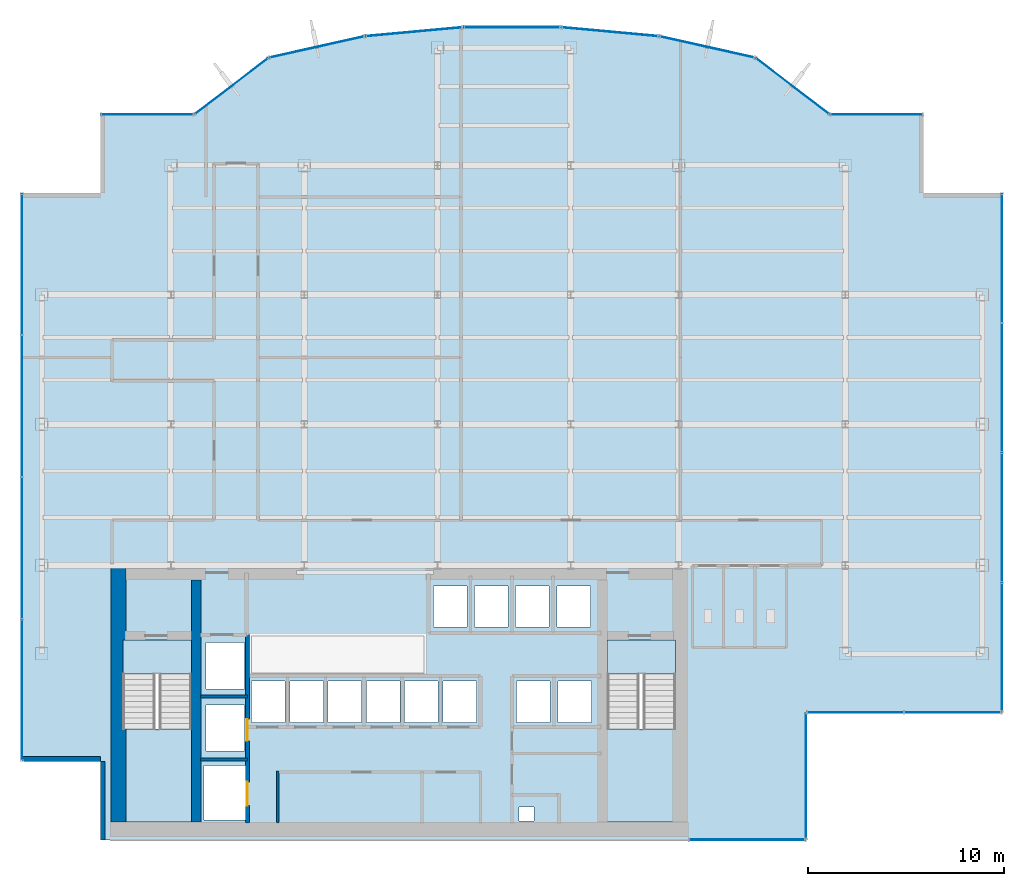
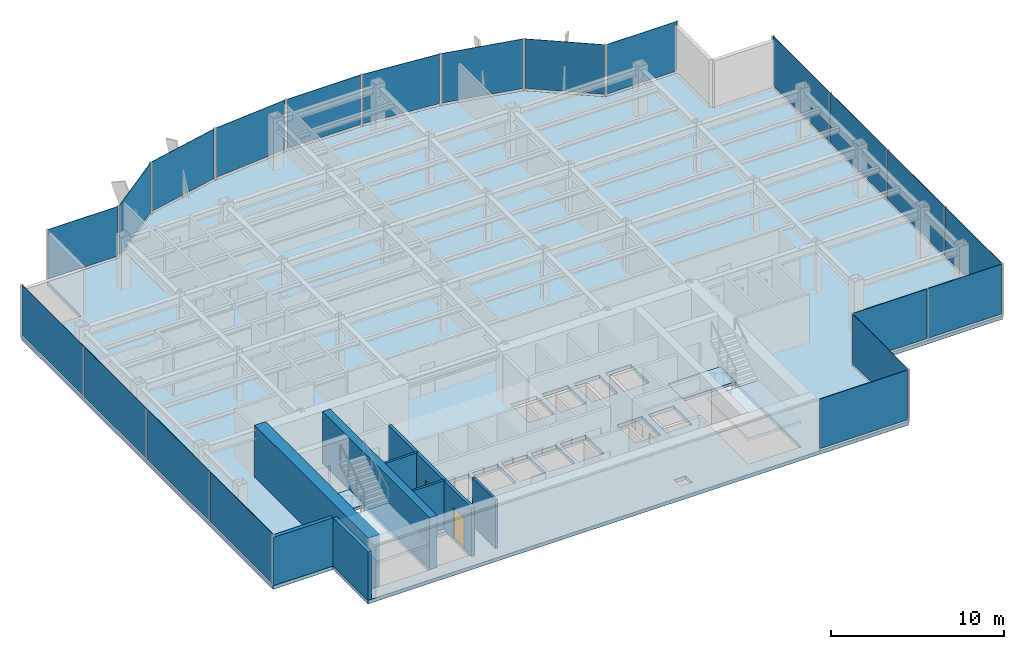
# One storey, part 19 of 25: 21 plates, 8 walls, 5 slabs, 2 doors, 2 openings, 16 elements without a shape of their own.
"""IFC4 building model written with IfcOpenShell, lengths in metres."""

from ifc_helpers import new_model, si_unit, derived_unit, direction, frame, frame_2d, origin, origin_2d, place, context, subcontext, project, spatial, polyline, rectangle, outline, extrude, source, transform, mapped, material, layer, layer_set, type_object, element, fill, aggregate, save


model = new_model("IFC4")

# Units and contexts
model_context = context("Model", 3, precision=1e-05, world=origin(), true_north=direction((0.0, 1.0)))
body_context = subcontext(model_context, "Body", "Model", "MODEL_VIEW")
ifc_project = project(units=[si_unit("LENGTHUNIT", "METRE"), si_unit("AREAUNIT", "SQUARE_METRE"), si_unit("VOLUMEUNIT", "CUBIC_METRE"), si_unit("PLANEANGLEUNIT", "RADIAN"), si_unit("MASSUNIT", "GRAM", prefix="KILO"), derived_unit("THERMALTRANSMITTANCEUNIT", [(si_unit("POWERUNIT", "WATT"), 1), (si_unit("LENGTHUNIT", "METRE"), -2), (si_unit("THERMODYNAMICTEMPERATUREUNIT", "KELVIN"), -1)])], contexts=[model_context])

# Site, building, storey
site_placement = place(None, origin())
site = spatial("IfcSite", under=ifc_project, at=site_placement, CompositionType="ELEMENT")
building_placement = place(site_placement, origin())
building = spatial("IfcBuilding", under=site, at=building_placement, Name="Skarnbrae Concourse Arena and Tower", CompositionType="ELEMENT")
storey_placement = place(building_placement, frame((0.0, 0.0, 169.800048828125)))
storey = spatial("IfcBuildingStorey", under=building, at=storey_placement, Name="L43", CompositionType="ELEMENT", Elevation=169.800048828125)

# Stair, slab
ifc_material_1 = material(Name="Concrete 40 MPa (C40/50)", Category="concrete")
stair_type = type_object("IfcStairType", Name="STAIR-DOGLEG-1650", PredefinedType="HALF_TURN_STAIR", material=ifc_material_1)
stair_1_placement = place(storey_placement, origin())
stair_1 = element("IfcStair", 1, at=stair_1_placement, inside=storey, type_object=stair_type, Name="L43 Protected Exit Stair ST-1", PredefinedType="HALF_TURN_STAIR")
ifc_layer_1 = layer(ifc_material_1, 0.199951171875)
ifc_layer_set_1 = layer_set([ifc_layer_1], Name="Concrete 40 MPa (C40/50)")
slab_type_1 = type_object("IfcSlabType", Name="SLAB-LANDING-200", PredefinedType="LANDING", material=ifc_layer_set_1)
slab_1_placement = place(storey_placement, frame((0.0, 0.0, 1.625)))
slab_1 = element("IfcSlab", 2, at=slab_1_placement, type_object=slab_type_1, Name="ST-1 landing 1", PredefinedType="LANDING", context=body_context, shape_type="SweptSolid", body=[
    extrude(outline(polyline([(5.14990234375, 5.64990234375), (5.14990234375, 0.89990234375), (8.64990234375, 0.89990234375), (8.64990234375, 5.64990234375), (5.14990234375, 5.64990234375)])), origin(), (0.0, 0.0, 1.0), 0.199951171875),
])
aggregate(stair_1, [slab_1])

stair_2_placement = place(storey_placement, origin())
stair_2 = element("IfcStair", 3, at=stair_2_placement, inside=storey, type_object=stair_type, Name="L43 Protected Exit Stair ST-2", PredefinedType="HALF_TURN_STAIR")
slab_2_placement = place(storey_placement, frame((0.0, 0.0, 1.625)))
slab_2 = element("IfcSlab", 4, at=slab_2_placement, type_object=slab_type_1, Name="ST-2 landing 1", PredefinedType="LANDING", context=body_context, shape_type="SweptSolid", body=[
    extrude(outline(polyline([(29.85009765625, 5.64990234375), (29.85009765625, 0.89990234375), (33.35009765625, 0.89990234375), (33.35009765625, 5.64990234375), (29.85009765625, 5.64990234375)])), origin(), (0.0, 0.0, 1.0), 0.199951171875),
])
aggregate(stair_2, [slab_2])

# Slabs
slab_3_placement = place(storey_placement, frame((0.0, 0.0, -0.199951171875)))
element("IfcSlab", 5, at=slab_3_placement, inside=storey, type_object=slab_type_1, Name="L43 Core stair ST1 floor landing", PredefinedType="LANDING", context=body_context, shape_type="SweptSolid", body=[
    extrude(outline(polyline([(5.14990234375, 10.199951171875), (5.14990234375, 8.449951171875), (8.64990234375, 8.449951171875), (8.64990234375, 10.199951171875), (5.14990234375, 10.199951171875)])), origin(), (0.0, 0.0, 1.0), 0.199951171875),
])
slab_4_placement = place(storey_placement, frame((0.0, 0.0, -0.199951171875)))
element("IfcSlab", 6, at=slab_4_placement, inside=storey, type_object=slab_type_1, Name="L43 Core stair ST2 floor landing", PredefinedType="LANDING", context=body_context, shape_type="SweptSolid", body=[
    extrude(outline(polyline([(29.85009765625, 10.199951171875), (29.85009765625, 8.449951171875), (33.35009765625, 8.449951171875), (33.35009765625, 10.199951171875), (29.85009765625, 10.199951171875)])), origin(), (0.0, 0.0, 1.0), 0.199951171875),
])
ifc_layer_2 = layer(ifc_material_1, 0.25)
ifc_layer_set_2 = layer_set([ifc_layer_2], Name="Concrete 40 MPa (C40/50)")
slab_type_2 = type_object("IfcSlabType", Name="SLAB-TOWER-250", PredefinedType="FLOOR", material=ifc_layer_set_2)
slab_5_placement = place(storey_placement, frame((0.0, 0.0, -0.25)))
element("IfcSlab", 7, at=slab_5_placement, inside=storey, type_object=slab_type_2, Name="L43 Structural floor slab", PredefinedType="FLOOR", context=body_context, shape_type="SweptSolid", body=[
    extrude(outline(polyline([(4.0, 0.0), (40.0, 0.0), (40.0, 6.5), (50.0, 6.5), (50.0, 33.0), (46.0, 33.0), (46.0, 37.0), (41.199951171875, 37.0), (37.409423828125, 39.892578125), (32.51220703125, 40.98681640625), (27.51123046875, 41.445556640625), (22.48876953125, 41.445556640625), (17.48779296875, 40.98681640625), (12.590576171875, 39.892578125), (8.800048828125, 37.0), (4.0, 37.0), (4.0, 33.0), (0.0, 33.0), (0.0, 4.0), (4.0, 4.0), (4.0, 0.0)]), holes=[polyline([(9.294921875, 3.780029296875), (11.455078125, 3.780029296875), (11.455078125, 1.02001953125), (9.294921875, 1.02001953125), (9.294921875, 3.780029296875)]), polyline([(8.64990234375, 10.199951171875), (8.64990234375, 0.89990234375), (5.14990234375, 0.89990234375), (5.14990234375, 10.199951171875), (8.64990234375, 10.199951171875)]), polyline([(9.39501953125, 6.8798828125), (11.35498046875, 6.8798828125), (11.35498046875, 4.52001953125), (9.39501953125, 4.52001953125), (9.39501953125, 6.8798828125)]), polyline([(11.719970703125, 8.10498046875), (13.429931640625, 8.10498046875), (13.429931640625, 5.9951171875), (11.719970703125, 5.9951171875), (11.719970703125, 8.10498046875)]), polyline([(13.669921875, 8.10498046875), (15.3798828125, 8.10498046875), (15.3798828125, 5.9951171875), (13.669921875, 5.9951171875), (13.669921875, 8.10498046875)]), polyline([(15.6201171875, 8.10498046875), (17.330078125, 8.10498046875), (17.330078125, 5.9951171875), (15.6201171875, 5.9951171875), (15.6201171875, 8.10498046875)]), polyline([(17.570068359375, 8.10498046875), (19.280029296875, 8.10498046875), (19.280029296875, 5.9951171875), (17.570068359375, 5.9951171875), (17.570068359375, 8.10498046875)]), polyline([(21.22998046875, 8.10498046875), (21.22998046875, 5.9951171875), (19.52001953125, 5.9951171875), (19.52001953125, 8.10498046875), (21.22998046875, 8.10498046875)]), polyline([(11.35498046875, 10.054931640625), (11.35498046875, 7.695068359375), (9.39501953125, 7.695068359375), (9.39501953125, 10.054931640625), (11.35498046875, 10.054931640625)]), polyline([(25.35009765625, 1.669921875), (26.1201171875, 1.669921875), (26.1201171875, 0.949951171875), (25.35009765625, 0.949951171875), (25.35009765625, 1.669921875)]), polyline([(33.35009765625, 10.199951171875), (33.35009765625, 0.89990234375), (29.85009765625, 0.89990234375), (29.85009765625, 10.199951171875), (33.35009765625, 10.199951171875)]), polyline([(21.469970703125, 8.10498046875), (23.179931640625, 8.10498046875), (23.179931640625, 5.9951171875), (21.469970703125, 5.9951171875), (21.469970703125, 8.10498046875)]), polyline([(25.235107421875, 8.10498046875), (26.945068359375, 8.10498046875), (26.945068359375, 5.9951171875), (25.235107421875, 5.9951171875), (25.235107421875, 8.10498046875)]), polyline([(27.3349609375, 8.10498046875), (29.044921875, 8.10498046875), (29.044921875, 5.9951171875), (27.3349609375, 5.9951171875), (27.3349609375, 8.10498046875)]), polyline([(20.985107421875, 12.955078125), (22.695068359375, 12.955078125), (22.695068359375, 10.844970703125), (20.985107421875, 10.844970703125), (20.985107421875, 12.955078125)]), polyline([(23.0849609375, 12.955078125), (24.794921875, 12.955078125), (24.794921875, 10.844970703125), (23.0849609375, 10.844970703125), (23.0849609375, 12.955078125)]), polyline([(26.89501953125, 12.955078125), (26.89501953125, 10.844970703125), (25.18505859375, 10.844970703125), (25.18505859375, 12.955078125), (26.89501953125, 12.955078125)]), polyline([(28.9951171875, 12.955078125), (28.9951171875, 10.844970703125), (27.284912109375, 10.844970703125), (27.284912109375, 12.955078125), (28.9951171875, 12.955078125)])]), origin(), (0.0, 0.0, 1.0), 0.25),
])

# Curtain wall, plates
ifc_material_2 = material(Name="Bronze anodised aluminium 6063-T6", Category="aluminium")
curtain_wall_type_1 = type_object("IfcCurtainWallType", Name="CW-SYS-04-MIDZONE", PredefinedType="USERDEFINED", material=ifc_material_2)
curtain_wall_1_placement = place(storey_placement, origin())
curtain_wall_1 = element("IfcCurtainWall", 8, at=curtain_wall_1_placement, inside=storey, type_object=curtain_wall_type_1, Name="L43 Unitised curtain wall CW-L43-E03", ObjectType="UNITISED CURTAIN WALL", PredefinedType="USERDEFINED")
ifc_material_3 = material(Name="Low-E triple insulating glass", Category="glass")
ifc_layer_3 = layer(ifc_material_3, 0.031982421875)
ifc_layer_set_3 = layer_set([ifc_layer_3], Name="Low-E triple insulating glass")
plate_type_1 = type_object("IfcPlateType", Name="CWP-CW-04", PredefinedType="CURTAIN_PANEL", material=ifc_layer_set_3)
shared_shape_1 = source(origin(), body_context, "Body", "SweptSolid", [
    extrude(rectangle(XDim=4.887451171875, YDim=0.031982421875, at=origin_2d()), origin(), (0.0, 0.0, 1.0), 3.489990234375),
])
plate_1_placement = place(storey_placement, frame((42.518798828125, 6.5, 0.16015625), z_axis=(0.0, 0.0, 1.0), x_axis=(1.0, 0.0, 0.0)))
plate_1 = element("IfcPlate", 9, at=plate_1_placement, type_object=plate_type_1, Name="CW-L43-E03 Low-E Glazing Panel 1", PredefinedType="CURTAIN_PANEL", context=body_context, shape_type="MappedRepresentation", body=[
    mapped(shared_shape_1, transform((0.0, 0.0, 0.0))),
])
plate_2_placement = place(storey_placement, frame((47.481201171875, 6.5, 0.16015625), z_axis=(0.0, 0.0, 1.0), x_axis=(1.0, 0.0, 0.0)))
plate_2 = element("IfcPlate", 10, at=plate_2_placement, type_object=plate_type_1, Name="CW-L43-E03 Low-E Glazing Panel 2", PredefinedType="CURTAIN_PANEL", context=body_context, shape_type="MappedRepresentation", body=[
    mapped(shared_shape_1, transform((0.0, 0.0, 0.0))),
])
aggregate(curtain_wall_1, [plate_1, plate_2])

# Curtain wall, plate
curtain_wall_2_placement = place(storey_placement, origin())
curtain_wall_2 = element("IfcCurtainWall", 11, at=curtain_wall_2_placement, inside=storey, type_object=curtain_wall_type_1, Name="L43 Unitised curtain wall CW-L43-SE-SPINE", ObjectType="UNITISED CURTAIN WALL", PredefinedType="USERDEFINED")
shared_shape_2 = source(origin(), body_context, "Body", "SweptSolid", [
    extrude(rectangle(XDim=5.85009765625, YDim=0.031982421875, at=origin_2d()), origin(), (0.0, 0.0, 1.0), 3.489990234375),
])
plate_3_placement = place(storey_placement, frame((37.0, 0.0, 0.16015625), z_axis=(0.0, 0.0, 1.0), x_axis=(1.0, 0.0, 0.0)))
plate_3 = element("IfcPlate", 12, at=plate_3_placement, type_object=plate_type_1, Name="CW-L43-SE-SPINE Low-E Glazing Panel 1", PredefinedType="CURTAIN_PANEL", context=body_context, shape_type="MappedRepresentation", body=[
    mapped(shared_shape_2, transform((0.0, 0.0, 0.0))),
])
aggregate(curtain_wall_2, [plate_3])

curtain_wall_3_placement = place(storey_placement, origin())
curtain_wall_3 = element("IfcCurtainWall", 13, at=curtain_wall_3_placement, inside=storey, type_object=curtain_wall_type_1, Name="L43 Unitised curtain wall CW-L43-E02", ObjectType="UNITISED CURTAIN WALL", PredefinedType="USERDEFINED")
shared_shape_3 = source(origin(), body_context, "Body", "SweptSolid", [
    extrude(rectangle(XDim=6.35009765625, YDim=0.031982421875, at=origin_2d()), origin(), (0.0, 0.0, 1.0), 3.489990234375),
])
plate_4_placement = place(storey_placement, frame((40.0, 3.25, 0.16015625), z_axis=(0.0, 0.0, 1.0), x_axis=(0.0, 1.0, 0.0)))
plate_4 = element("IfcPlate", 14, at=plate_4_placement, type_object=plate_type_1, Name="CW-L43-E02 Low-E Glazing Panel 1", PredefinedType="CURTAIN_PANEL", context=body_context, shape_type="MappedRepresentation", body=[
    mapped(shared_shape_3, transform((0.0, 0.0, 0.0))),
])
aggregate(curtain_wall_3, [plate_4])

curtain_wall_4_placement = place(storey_placement, origin())
curtain_wall_4 = element("IfcCurtainWall", 15, at=curtain_wall_4_placement, inside=storey, type_object=curtain_wall_type_1, Name="L43 Unitised curtain wall CW-L43-E07", ObjectType="UNITISED CURTAIN WALL", PredefinedType="USERDEFINED")
shared_shape_4 = source(origin(), body_context, "Body", "SweptSolid", [
    extrude(rectangle(XDim=4.64990234375, YDim=0.031982421875, at=origin_2d()), origin(), (0.0, 0.0, 1.0), 3.489990234375),
])
plate_5_placement = place(storey_placement, frame((43.60009765625, 37.0, 0.16015625), z_axis=(0.0, 0.0, 1.0), x_axis=(-1.0, 0.0, 0.0)))
plate_5 = element("IfcPlate", 16, at=plate_5_placement, type_object=plate_type_1, Name="CW-L43-E07 Low-E Glazing Panel 1", PredefinedType="CURTAIN_PANEL", context=body_context, shape_type="MappedRepresentation", body=[
    mapped(shared_shape_4, transform((0.0, 0.0, 0.0))),
])
aggregate(curtain_wall_4, [plate_5])

curtain_wall_5_placement = place(storey_placement, origin())
curtain_wall_5 = element("IfcCurtainWall", 17, at=curtain_wall_5_placement, inside=storey, type_object=curtain_wall_type_1, Name="L43 Unitised curtain wall CW-L43-E15", ObjectType="UNITISED CURTAIN WALL", PredefinedType="USERDEFINED")
plate_6_placement = place(storey_placement, frame((6.39990234375, 37.0, 0.16015625), z_axis=(0.0, 0.0, 1.0), x_axis=(-1.0, 0.0, 0.0)))
plate_6 = element("IfcPlate", 18, at=plate_6_placement, type_object=plate_type_1, Name="CW-L43-E15 Low-E Glazing Panel 1", PredefinedType="CURTAIN_PANEL", context=body_context, shape_type="MappedRepresentation", body=[
    mapped(shared_shape_4, transform((0.0, 0.0, 0.0))),
])
aggregate(curtain_wall_5, [plate_6])

curtain_wall_6_placement = place(storey_placement, origin())
curtain_wall_6 = element("IfcCurtainWall", 19, at=curtain_wall_6_placement, inside=storey, type_object=curtain_wall_type_1, Name="L43 Unitised curtain wall CW-L43-E08", ObjectType="UNITISED CURTAIN WALL", PredefinedType="USERDEFINED")
shared_shape_5 = source(origin(), body_context, "Body", "SweptSolid", [
    extrude(rectangle(XDim=4.6181640625, YDim=0.031982421875, at=origin_2d()), origin(), (0.0, 0.0, 1.0), 3.489990234375),
])
plate_7_placement = place(storey_placement, frame((39.3046875, 38.4462890625, 0.16015625), z_axis=(0.0, 0.0, 1.0), x_axis=(-0.794956000706, 0.606667089054, 0.0)))
plate_7 = element("IfcPlate", 20, at=plate_7_placement, type_object=plate_type_1, Name="CW-L43-E08 Low-E Glazing Panel 1", PredefinedType="CURTAIN_PANEL", context=body_context, shape_type="MappedRepresentation", body=[
    mapped(shared_shape_5, transform((0.0, 0.0, 0.0))),
])
aggregate(curtain_wall_6, [plate_7])

curtain_wall_7_placement = place(storey_placement, origin())
curtain_wall_7 = element("IfcCurtainWall", 21, at=curtain_wall_7_placement, inside=storey, type_object=curtain_wall_type_1, Name="L43 Unitised curtain wall CW-L43-E14", ObjectType="UNITISED CURTAIN WALL", PredefinedType="USERDEFINED")
plate_8_placement = place(storey_placement, frame((10.6953125, 38.4462890625, 0.16015625), z_axis=(0.0, 0.0, 1.0), x_axis=(-0.794956000706, -0.606667089054, 0.0)))
plate_8 = element("IfcPlate", 22, at=plate_8_placement, type_object=plate_type_1, Name="CW-L43-E14 Low-E Glazing Panel 1", PredefinedType="CURTAIN_PANEL", context=body_context, shape_type="MappedRepresentation", body=[
    mapped(shared_shape_5, transform((0.0, 0.0, 0.0))),
])
aggregate(curtain_wall_7, [plate_8])

curtain_wall_8_placement = place(storey_placement, origin())
curtain_wall_8 = element("IfcCurtainWall", 23, at=curtain_wall_8_placement, inside=storey, type_object=curtain_wall_type_1, Name="L43 Unitised curtain wall CW-L43-E09", ObjectType="UNITISED CURTAIN WALL", PredefinedType="USERDEFINED")
shared_shape_6 = source(origin(), body_context, "Body", "SweptSolid", [
    extrude(rectangle(XDim=4.867919921875, YDim=0.031982421875, at=origin_2d()), origin(), (0.0, 0.0, 1.0), 3.489990234375),
])
plate_9_placement = place(storey_placement, frame((34.9609375, 40.439697265625, 0.16015625), z_axis=(0.0, 0.0, 1.0), x_axis=(-0.975936175393, 0.218056372433, 0.0)))
plate_9 = element("IfcPlate", 24, at=plate_9_placement, type_object=plate_type_1, Name="CW-L43-E09 Low-E Glazing Panel 1", PredefinedType="CURTAIN_PANEL", context=body_context, shape_type="MappedRepresentation", body=[
    mapped(shared_shape_6, transform((0.0, 0.0, 0.0))),
])
aggregate(curtain_wall_8, [plate_9])

curtain_wall_9_placement = place(storey_placement, origin())
curtain_wall_9 = element("IfcCurtainWall", 25, at=curtain_wall_9_placement, inside=storey, type_object=curtain_wall_type_1, Name="L43 Unitised curtain wall CW-L43-E13", ObjectType="UNITISED CURTAIN WALL", PredefinedType="USERDEFINED")
plate_10_placement = place(storey_placement, frame((15.0390625, 40.439697265625, 0.16015625), z_axis=(0.0, 0.0, 1.0), x_axis=(-0.975936175393, -0.218056372433, 0.0)))
plate_10 = element("IfcPlate", 26, at=plate_10_placement, type_object=plate_type_1, Name="CW-L43-E13 Low-E Glazing Panel 1", PredefinedType="CURTAIN_PANEL", context=body_context, shape_type="MappedRepresentation", body=[
    mapped(shared_shape_6, transform((0.0, 0.0, 0.0))),
])
aggregate(curtain_wall_9, [plate_10])

# Curtain wall, plates
curtain_wall_10_placement = place(storey_placement, origin())
curtain_wall_10 = element("IfcCurtainWall", 27, at=curtain_wall_10_placement, inside=storey, type_object=curtain_wall_type_1, Name="L43 Unitised curtain wall CW-L43-E18", ObjectType="UNITISED CURTAIN WALL", PredefinedType="USERDEFINED")
shared_shape_7 = source(origin(), body_context, "Body", "SweptSolid", [
    extrude(rectangle(XDim=7.137451171875, YDim=0.031982421875, at=origin_2d()), origin(), (0.0, 0.0, 1.0), 3.489990234375),
])
plate_11_placement = place(storey_placement, frame((0.0, 29.356201171875, 0.16015625), z_axis=(0.0, 0.0, 1.0), x_axis=(0.0, -1.0, 0.0)))
plate_11 = element("IfcPlate", 28, at=plate_11_placement, type_object=plate_type_1, Name="CW-L43-E18 Low-E Glazing Panel 1", PredefinedType="CURTAIN_PANEL", context=body_context, shape_type="MappedRepresentation", body=[
    mapped(shared_shape_7, transform((0.0, 0.0, 0.0))),
])
plate_12_placement = place(storey_placement, frame((0.0, 7.643798828125, 0.16015625), z_axis=(0.0, 0.0, 1.0), x_axis=(0.0, -1.0, 0.0)))
plate_12 = element("IfcPlate", 29, at=plate_12_placement, type_object=plate_type_1, Name="CW-L43-E18 Low-E Glazing Panel 4", PredefinedType="CURTAIN_PANEL", context=body_context, shape_type="MappedRepresentation", body=[
    mapped(shared_shape_7, transform((0.0, 0.0, 0.0))),
])
shared_shape_8 = source(origin(), body_context, "Body", "SweptSolid", [
    extrude(rectangle(XDim=7.175048828125, YDim=0.031982421875, at=origin_2d()), origin(), (0.0, 0.0, 1.0), 3.489990234375),
])
plate_13_placement = place(storey_placement, frame((0.0, 22.125, 0.16015625), z_axis=(0.0, 0.0, 1.0), x_axis=(0.0, -1.0, 0.0)))
plate_13 = element("IfcPlate", 30, at=plate_13_placement, type_object=plate_type_1, Name="CW-L43-E18 Low-E Glazing Panel 2", PredefinedType="CURTAIN_PANEL", context=body_context, shape_type="MappedRepresentation", body=[
    mapped(shared_shape_8, transform((0.0, 0.0, 0.0))),
])
plate_14_placement = place(storey_placement, frame((0.0, 14.875, 0.16015625), z_axis=(0.0, 0.0, 1.0), x_axis=(0.0, -1.0, 0.0)))
plate_14 = element("IfcPlate", 31, at=plate_14_placement, type_object=plate_type_1, Name="CW-L43-E18 Low-E Glazing Panel 3", PredefinedType="CURTAIN_PANEL", context=body_context, shape_type="MappedRepresentation", body=[
    mapped(shared_shape_8, transform((0.0, 0.0, 0.0))),
])
aggregate(curtain_wall_10, [plate_11, plate_13, plate_14, plate_12])

curtain_wall_11_placement = place(storey_placement, origin())
curtain_wall_11 = element("IfcCurtainWall", 32, at=curtain_wall_11_placement, inside=storey, type_object=curtain_wall_type_1, Name="L43 Unitised curtain wall CW-L43-E04", ObjectType="UNITISED CURTAIN WALL", PredefinedType="USERDEFINED")
shared_shape_9 = source(origin(), body_context, "Body", "SweptSolid", [
    extrude(rectangle(XDim=6.512451171875, YDim=0.031982421875, at=origin_2d()), origin(), (0.0, 0.0, 1.0), 3.489990234375),
])
plate_15_placement = place(storey_placement, frame((50.0, 9.831298828125, 0.16015625), z_axis=(0.0, 0.0, 1.0), x_axis=(0.0, 1.0, 0.0)))
plate_15 = element("IfcPlate", 33, at=plate_15_placement, type_object=plate_type_1, Name="CW-L43-E04 Low-E Glazing Panel 1", PredefinedType="CURTAIN_PANEL", context=body_context, shape_type="MappedRepresentation", body=[
    mapped(shared_shape_9, transform((0.0, 0.0, 0.0))),
])
plate_16_placement = place(storey_placement, frame((50.0, 29.668701171875, 0.16015625), z_axis=(0.0, 0.0, 1.0), x_axis=(0.0, 1.0, 0.0)))
plate_16 = element("IfcPlate", 34, at=plate_16_placement, type_object=plate_type_1, Name="CW-L43-E04 Low-E Glazing Panel 4", PredefinedType="CURTAIN_PANEL", context=body_context, shape_type="MappedRepresentation", body=[
    mapped(shared_shape_9, transform((0.0, 0.0, 0.0))),
])
shared_shape_10 = source(origin(), body_context, "Body", "SweptSolid", [
    extrude(rectangle(XDim=6.550048828125, YDim=0.031982421875, at=origin_2d()), origin(), (0.0, 0.0, 1.0), 3.489990234375),
])
plate_17_placement = place(storey_placement, frame((50.0, 16.4375, 0.16015625), z_axis=(0.0, 0.0, 1.0), x_axis=(0.0, 1.0, 0.0)))
plate_17 = element("IfcPlate", 35, at=plate_17_placement, type_object=plate_type_1, Name="CW-L43-E04 Low-E Glazing Panel 2", PredefinedType="CURTAIN_PANEL", context=body_context, shape_type="MappedRepresentation", body=[
    mapped(shared_shape_10, transform((0.0, 0.0, 0.0))),
])
plate_18_placement = place(storey_placement, frame((50.0, 23.0625, 0.16015625), z_axis=(0.0, 0.0, 1.0), x_axis=(0.0, 1.0, 0.0)))
plate_18 = element("IfcPlate", 36, at=plate_18_placement, type_object=plate_type_1, Name="CW-L43-E04 Low-E Glazing Panel 3", PredefinedType="CURTAIN_PANEL", context=body_context, shape_type="MappedRepresentation", body=[
    mapped(shared_shape_10, transform((0.0, 0.0, 0.0))),
])
aggregate(curtain_wall_11, [plate_15, plate_17, plate_18, plate_16])

# Curtain wall, plate
curtain_wall_type_2 = type_object("IfcCurtainWallType", Name="CW-SYS-03-PORTAL", PredefinedType="USERDEFINED", material=ifc_material_2)
curtain_wall_12_placement = place(storey_placement, origin())
curtain_wall_12 = element("IfcCurtainWall", 37, at=curtain_wall_12_placement, inside=storey, type_object=curtain_wall_type_2, Name="L43 Unitised curtain wall CW-L43-E10", ObjectType="UNITISED CURTAIN WALL", PredefinedType="USERDEFINED")
ifc_layer_4 = layer(ifc_material_3, 0.033935546875)
ifc_layer_set_4 = layer_set([ifc_layer_4], Name="Low-E triple insulating glass")
plate_type_2 = type_object("IfcPlateType", Name="CWP-CW-03", PredefinedType="CURTAIN_PANEL", material=ifc_layer_set_4)
shared_shape_11 = source(origin(), body_context, "Body", "SweptSolid", [
    extrude(rectangle(XDim=4.862060546875, YDim=0.033935546875, at=origin_2d()), origin(), (0.0, 0.0, 1.0), 3.47998046875),
])
plate_19_placement = place(storey_placement, frame((30.01171875, 41.21630859375, 0.169921875), z_axis=(0.0, 0.0, 1.0), x_axis=(-0.995819926016, 0.091338244731, 0.0)))
plate_19 = element("IfcPlate", 38, at=plate_19_placement, type_object=plate_type_2, Name="CW-L43-E10 Low-E Glazing Panel 1", PredefinedType="CURTAIN_PANEL", context=body_context, shape_type="MappedRepresentation", body=[
    mapped(shared_shape_11, transform((0.0, 0.0, 0.0))),
])
aggregate(curtain_wall_12, [plate_19])

curtain_wall_13_placement = place(storey_placement, origin())
curtain_wall_13 = element("IfcCurtainWall", 39, at=curtain_wall_13_placement, inside=storey, type_object=curtain_wall_type_2, Name="L43 Unitised curtain wall CW-L43-E12", ObjectType="UNITISED CURTAIN WALL", PredefinedType="USERDEFINED")
plate_20_placement = place(storey_placement, frame((19.98828125, 41.21630859375, 0.169921875), z_axis=(0.0, 0.0, 1.0), x_axis=(-0.995819926016, -0.091338244731, 0.0)))
plate_20 = element("IfcPlate", 40, at=plate_20_placement, type_object=plate_type_2, Name="CW-L43-E12 Low-E Glazing Panel 1", PredefinedType="CURTAIN_PANEL", context=body_context, shape_type="MappedRepresentation", body=[
    mapped(shared_shape_11, transform((0.0, 0.0, 0.0))),
])
aggregate(curtain_wall_13, [plate_20])

curtain_wall_14_placement = place(storey_placement, origin())
curtain_wall_14 = element("IfcCurtainWall", 41, at=curtain_wall_14_placement, inside=storey, type_object=curtain_wall_type_2, Name="L43 Unitised curtain wall CW-L43-E11", ObjectType="UNITISED CURTAIN WALL", PredefinedType="USERDEFINED")
shared_shape_12 = source(origin(), body_context, "Body", "SweptSolid", [
    extrude(rectangle(XDim=4.862548828125, YDim=0.033935546875, at=origin_2d()), origin(), (0.0, 0.0, 1.0), 3.47998046875),
])
plate_21_placement = place(storey_placement, frame((25.0, 41.445556640625, 0.169921875), z_axis=(0.0, 0.0, 1.0), x_axis=(-1.0, 0.0, 0.0)))
plate_21 = element("IfcPlate", 42, at=plate_21_placement, type_object=plate_type_2, Name="CW-L43-E11 Low-E Glazing Panel 1", PredefinedType="CURTAIN_PANEL", context=body_context, shape_type="MappedRepresentation", body=[
    mapped(shared_shape_12, transform((0.0, 0.0, 0.0))),
])
aggregate(curtain_wall_14, [plate_21])

# Walls
ifc_material_4 = material(Name="Concrete 60 MPa (C60/75)", Category="concrete")
ifc_layer_5 = layer(ifc_material_4, 0.75)
ifc_layer_set_5 = layer_set([ifc_layer_5], Name="Concrete 60 MPa (C60/75)")
wall_type_1 = type_object("IfcWallType", Name="WALL-CORE-750-C60", PredefinedType="SHEAR", material=ifc_layer_set_5)
shared_shape_13 = source(origin(), body_context, "Body", "SweptSolid", [
    extrude(rectangle(XDim=13.10009765625, YDim=0.75, at=frame_2d((6.550048828125, 0.0))), origin(), (0.0, 0.0, 1.0), 3.64990234375),
])
wall_1_placement = place(storey_placement, frame((4.925048828125, 0.89990234375, 0.0), z_axis=(0.0, 0.0, 1.0), x_axis=(0.0, 1.0, 0.0)))
element("IfcWall", 43, at=wall_1_placement, inside=storey, type_object=wall_type_1, Name="L43 Rear core shear wall CW-W", PredefinedType="SHEAR", context=body_context, shape_type="MappedRepresentation", body=[
    mapped(shared_shape_13, transform((0.0, 0.0, 0.0))),
])
ifc_layer_6 = layer(ifc_material_4, 0.5)
ifc_layer_set_6 = layer_set([ifc_layer_6], Name="Concrete 60 MPa (C60/75)")
wall_type_2 = type_object("IfcWallType", Name="WALL-CORE-500-C60", PredefinedType="SHEAR", material=ifc_layer_set_6)
shared_shape_14 = source(origin(), body_context, "Body", "SweptSolid", [
    extrude(rectangle(XDim=12.35009765625, YDim=0.5, at=frame_2d((6.175048828125, 0.0))), origin(), (0.0, 0.0, 1.0), 3.64990234375),
])
wall_2_placement = place(storey_placement, frame((8.889892578125, 0.89990234375, 0.0), z_axis=(0.0, 0.0, 1.0), x_axis=(0.0, 1.0, 0.0)))
element("IfcWall", 44, at=wall_2_placement, inside=storey, type_object=wall_type_2, Name="L43 Rear core shear wall CW-WEB-W", PredefinedType="SHEAR", context=body_context, shape_type="MappedRepresentation", body=[
    mapped(shared_shape_14, transform((0.0, 0.0, 0.0))),
])
ifc_material_5 = material(Name="Precast concrete 40 MPa (C40/50)", Category="concrete")
ifc_layer_7 = layer(ifc_material_5, 0.25)
ifc_layer_set_7 = layer_set([ifc_layer_7], Name="Precast concrete 40 MPa (C40/50)")
wall_type_3 = type_object("IfcWallType", Name="WALL-EXT-SPANDREL-250", PredefinedType="STANDARD", material=ifc_layer_set_7)
shared_shape_15 = source(origin(), body_context, "Body", "SweptSolid", [
    extrude(rectangle(XDim=4.0, YDim=0.25, at=frame_2d((2.0, 0.0))), origin(), (0.0, 0.0, 1.0), 3.39990234375),
])
for number, where, z_axis, x_axis, name in (
    (45, (0.0, 4.125, 0.0), (0.0, 0.0, 1.0), (1.0, 0.0, 0.0), "L43 Notched corner insulated return wall 19"),
    (46, (4.125, 4.0, 0.0), (0.0, 0.0, 1.0), (0.0, -1.0, 0.0), "L43 Notched corner insulated return wall 20"),
):
    element("IfcWall", number, at=place(storey_placement, frame(where, z_axis=z_axis, x_axis=x_axis)), inside=storey, type_object=wall_type_3, Name=name, PredefinedType="STANDARD", context=body_context, shape_type="MappedRepresentation", body=[
        mapped(shared_shape_15, transform((0.0, 0.0, 0.0))),
    ])

# Wall, openings, doors
ifc_material_6 = material(Name="Gypsum board on cold-formed steel studs", Category="steel")
ifc_layer_8 = layer(ifc_material_6, 0.199951171875)
ifc_layer_set_8 = layer_set([ifc_layer_8], Name="Gypsum board on cold-formed steel studs")
wall_type_4 = type_object("IfcWallType", Name="WALL-PART-200-2HR", PredefinedType="PARTITIONING", material=ifc_layer_set_8)
shared_shape_16 = source(origin(), body_context, "Body", "SweptSolid", [
    extrude(rectangle(XDim=9.599853515625, YDim=0.199951171875, at=frame_2d((4.7998046875, 0.0))), origin(), (0.0, 0.0, 1.0), 3.39990234375),
])
wall_3_placement = place(storey_placement, frame((11.5, 0.85009765625, 0.0), z_axis=(0.0, 0.0, 1.0), x_axis=(0.0, 1.0, 0.0)))
wall_3 = element("IfcWall", 47, at=wall_3_placement, inside=storey, type_object=wall_type_4, Name="L43 Interior partition wall W-L43-FL-E", PredefinedType="PARTITIONING", context=body_context, shape_type="MappedRepresentation", body=[
    mapped(shared_shape_16, transform((0.0, 0.0, 0.0))),
])
opening_1_placement = place(wall_3_placement, frame((4.199951171875, 0.0, 0.0)))
opening_1 = element("IfcOpeningElement", 48, at=opening_1_placement, cuts=wall_3, Name="Opening LD-01", PredefinedType="OPENING", context=body_context, shape_type="SweptSolid", body=[
    extrude(rectangle(XDim=1.10009765625, YDim=2.14990234375, at=frame_2d((0.550048828125, 1.074951171875))), frame((0.0, 0.10986328125, 0.0), z_axis=(0.0, -1.0, 0.0), x_axis=(1.0, 0.0, 0.0)), (0.0, 0.0, 1.0), 0.219970703125),
])
opening_2_placement = place(wall_3_placement, frame((0.89990234375, 0.0, 0.0)))
opening_2 = element("IfcOpeningElement", 49, at=opening_2_placement, cuts=wall_3, Name="Opening LD-02", PredefinedType="OPENING", context=body_context, shape_type="SweptSolid", body=[
    extrude(rectangle(XDim=1.199951171875, YDim=2.14990234375, at=frame_2d((0.60009765625, 1.074951171875))), frame((0.0, 0.10986328125, 0.0), z_axis=(0.0, -1.0, 0.0), x_axis=(1.0, 0.0, 0.0)), (0.0, 0.0, 1.0), 0.219970703125),
])
ifc_material_7 = material(Name="Steel CSA G40.21 350W", Category="steel")
door_type_1 = type_object("IfcDoorType", Name="DOOR-LIFT-SLIDE-1100", OperationType="SLIDING_TO_LEFT", PredefinedType="DOOR", material=ifc_material_7)
shared_shape_17 = source(origin(), body_context, "Body", "SweptSolid", [
    extrude(rectangle(XDim=1.10009765625, YDim=2.14990234375, at=frame_2d((0.550048828125, 1.074951171875))), frame((0.0, 0.02490234375, 0.0), z_axis=(0.0, -1.0, 0.0), x_axis=(1.0, 0.0, 0.0)), (0.0, 0.0, 1.0), 0.050048828125),
])
door_1_placement = place(opening_1_placement, frame((1.10009765625, 0.0, 0.0), z_axis=(0.0, 0.0, 1.0), x_axis=(-1.0, 0.0, 0.0)))
door_1 = element("IfcDoor", 50, at=door_1_placement, inside=storey, type_object=door_type_1, Name="D-1326 Firefighting Lift Landing Door FL-02", OperationType="SLIDING_TO_LEFT", OverallHeight=2.14990234375, OverallWidth=1.10009765625, PredefinedType="DOOR", context=body_context, shape_type="MappedRepresentation", body=[
    mapped(shared_shape_17, transform((0.0, 0.0, 0.0))),
])
fill(opening_1, door_1)
door_type_2 = type_object("IfcDoorType", Name="DOOR-LIFT-SLIDE-1200", OperationType="SLIDING_TO_LEFT", PredefinedType="DOOR", material=ifc_material_7)
shared_shape_18 = source(origin(), body_context, "Body", "SweptSolid", [
    extrude(rectangle(XDim=1.199951171875, YDim=2.14990234375, at=frame_2d((0.60009765625, 1.074951171875))), frame((0.0, 0.02490234375, 0.0), z_axis=(0.0, -1.0, 0.0), x_axis=(1.0, 0.0, 0.0)), (0.0, 0.0, 1.0), 0.050048828125),
])
door_2_placement = place(opening_2_placement, frame((1.199951171875, 0.0, 0.0), z_axis=(0.0, 0.0, 1.0), x_axis=(-1.0, 0.0, 0.0)))
door_2 = element("IfcDoor", 51, at=door_2_placement, inside=storey, type_object=door_type_2, Name="D-1327 Service Lift Landing Door SV-01", OperationType="SLIDING_TO_LEFT", OverallHeight=2.14990234375, OverallWidth=1.199951171875, PredefinedType="DOOR", context=body_context, shape_type="MappedRepresentation", body=[
    mapped(shared_shape_18, transform((0.0, 0.0, 0.0))),
])
fill(opening_2, door_2)

# Walls
ifc_layer_9 = layer(ifc_material_6, 0.14990234375)
ifc_layer_set_9 = layer_set([ifc_layer_9], Name="Gypsum board on cold-formed steel studs")
wall_type_5 = type_object("IfcWallType", Name="WALL-PART-150", PredefinedType="PARTITIONING", material=ifc_layer_set_9)
shared_shape_19 = source(origin(), body_context, "Body", "SweptSolid", [
    extrude(rectangle(XDim=2.39990234375, YDim=0.14990234375, at=frame_2d((1.199951171875, 0.0))), origin(), (0.0, 0.0, 1.0), 3.39990234375),
])
for number, where, z_axis, x_axis, name in (
    (52, (9.10009765625, 4.10009765625, 0.0), (0.0, 0.0, 1.0), (1.0, 0.0, 0.0), "L43 Interior partition wall W-L43-FL-D1"),
    (53, (9.10009765625, 7.300048828125, 0.0), (0.0, 0.0, 1.0), (1.0, 0.0, 0.0), "L43 Interior partition wall W-L43-FL-D2"),
):
    element("IfcWall", number, at=place(storey_placement, frame(where, z_axis=z_axis, x_axis=x_axis)), inside=storey, type_object=wall_type_5, Name=name, PredefinedType="PARTITIONING", context=body_context, shape_type="MappedRepresentation", body=[
        mapped(shared_shape_19, transform((0.0, 0.0, 0.0))),
    ])
ifc_layer_10 = layer(ifc_material_6, 0.14990234375)
ifc_layer_set_10 = layer_set([ifc_layer_10], Name="Gypsum board on cold-formed steel studs")
wall_type_6 = type_object("IfcWallType", Name="WALL-PART-150-1HR", PredefinedType="PARTITIONING", material=ifc_layer_set_10)
shared_shape_20 = source(origin(), body_context, "Body", "SweptSolid", [
    extrude(rectangle(XDim=2.64990234375, YDim=0.14990234375, at=frame_2d((1.324951171875, 0.0))), origin(), (0.0, 0.0, 1.0), 3.39990234375),
])
wall_4_placement = place(storey_placement, frame((13.050048828125, 0.85009765625, 0.0), z_axis=(0.0, 0.0, 1.0), x_axis=(0.0, 1.0, 0.0)))
element("IfcWall", 54, at=wall_4_placement, inside=storey, type_object=wall_type_6, Name="L43 Interior partition wall W-L43-B1M-W", PredefinedType="PARTITIONING", context=body_context, shape_type="MappedRepresentation", body=[
    mapped(shared_shape_20, transform((0.0, 0.0, 0.0))),
])

save(model, "model.ifc")
